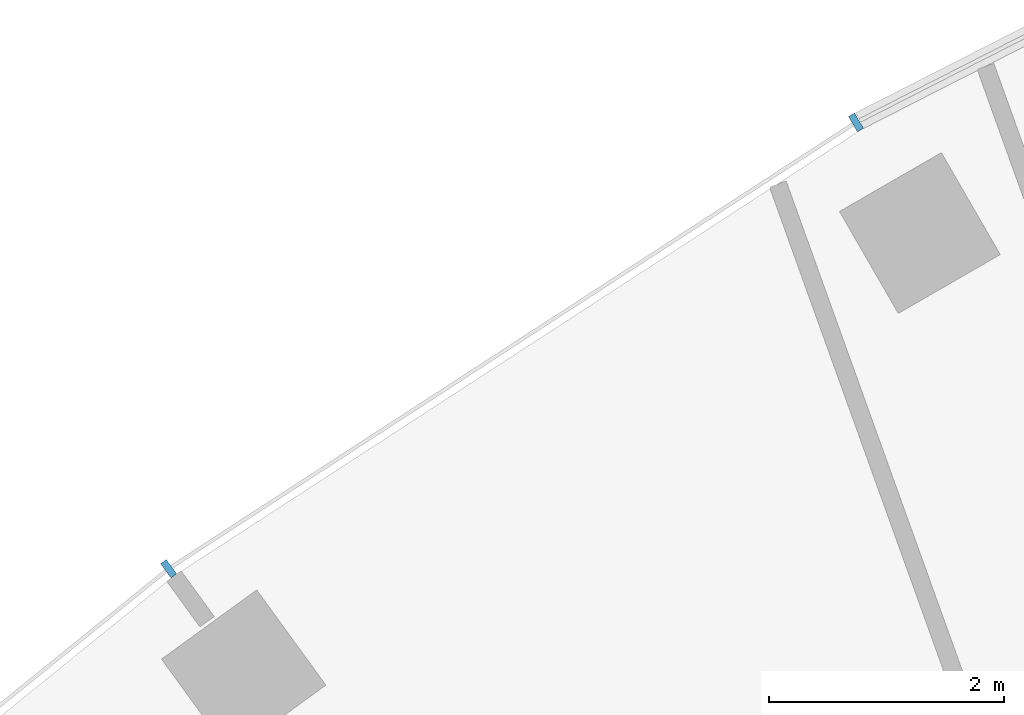
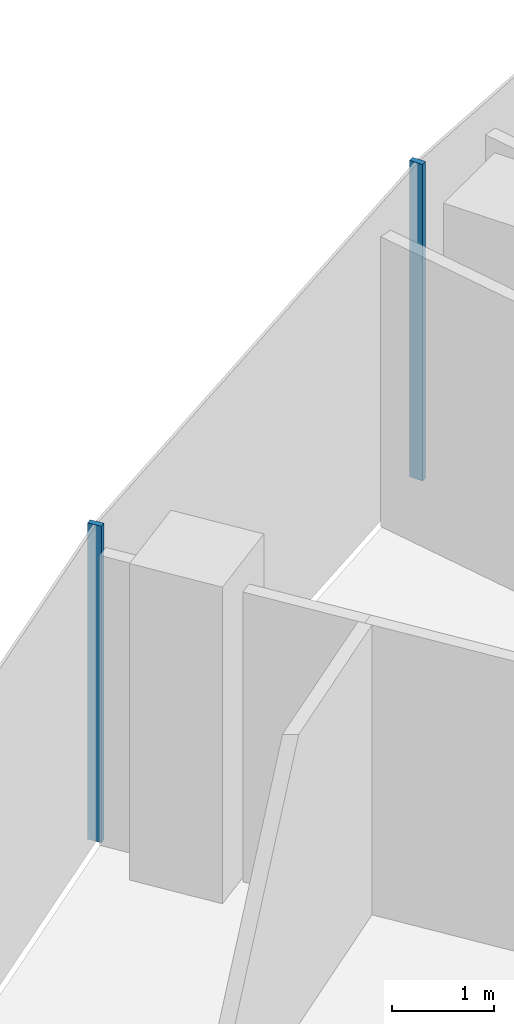
# One storey, part 4 of 20: 2 members, 1 element without a shape of its own.
"""IFC4 building model written with IfcOpenShell, lengths in metres."""

from ifc_helpers import new_model, si_unit, direction, frame, origin, origin_2d, place, context, subcontext, project, spatial, rectangle, extrude, material, layer, layer_set, material_profile, profile_set, type_object, element, aggregate, save


model = new_model("IFC4")

# Units and contexts
model_context = context("Model", 3, precision=1e-05, world=origin(), true_north=direction((0.0, 1.0)))
body_context = subcontext(model_context, "Body", "Model", "MODEL_VIEW")
ifc_project = project(units=[si_unit("LENGTHUNIT", "METRE"), si_unit("AREAUNIT", "SQUARE_METRE"), si_unit("VOLUMEUNIT", "CUBIC_METRE"), si_unit("PLANEANGLEUNIT", "RADIAN"), si_unit("MASSUNIT", "GRAM", prefix="KILO")], contexts=[model_context])

# Site, building, storey
site_placement = place(None, origin())
site = spatial("IfcSite", under=ifc_project, at=site_placement, CompositionType="ELEMENT")
building_placement = place(site_placement, origin())
building = spatial("IfcBuilding", under=site, at=building_placement, Name="Stone Belt Terrace Tower", CompositionType="ELEMENT")
storey_placement = place(building_placement, frame((0.0, 0.0, 147.800048828125)))
storey = spatial("IfcBuildingStorey", under=building, at=storey_placement, Name="L35", CompositionType="ELEMENT", Elevation=147.800048828125)

# Curtain wall, members
ifc_material = material(Name="Aluminium 6063-T6 anodised frame", Category="aluminium")
ifc_layer = layer(ifc_material, 0.14990234375)
ifc_layer_set = layer_set([ifc_layer], Name="CW-A unitised convex-face curtain wall")
curtain_wall_type = type_object("IfcCurtainWallType", Name="CW-A unitised convex-face curtain wall", PredefinedType="NOTDEFINED", material=ifc_layer_set)
curtain_wall_placement = place(storey_placement, origin())
curtain_wall = element("IfcCurtainWall", 1, at=curtain_wall_placement, inside=storey, type_object=curtain_wall_type, Name="CW-A convex face L35", PredefinedType="NOTDEFINED")
ifc_material_profile = material_profile(ifc_material, rectangle(XDim=0.14990234375, YDim=0.06005859375, at=origin_2d()), Name="Aluminium 6063-T6 60x150")
ifc_profile_set = profile_set([ifc_material_profile], Name="Aluminium 6063-T6 anodised frame")
member_type = type_object("IfcMemberType", Name="CW-A mullion 60 x 150", PredefinedType="MULLION", material=ifc_profile_set)
member_1_placement = place(storey_placement, frame((-33.28759765625, 57.65576171875, 0.0), z_axis=(0.0, 0.0, 1.0), x_axis=(0.5, -0.866025403784, 0.0)))
member_1 = element("IfcMember", 2, at=member_1_placement, type_object=member_type, Name="CW-A mullion 14", PredefinedType="MULLION", context=body_context, shape_type="SweptSolid", body=[
    extrude(rectangle(XDim=0.14990234375, YDim=0.06005859375, at=origin_2d()), origin(), (0.0, 0.0, 1.0), 3.800048828125),
])
member_2_placement = place(storey_placement, frame((-39.1318359375, 53.8603515625, 0.0), z_axis=(0.0, 0.0, 1.0), x_axis=(0.587785252292, -0.809016994375, 0.0)))
member_2 = element("IfcMember", 3, at=member_2_placement, type_object=member_type, Name="CW-A mullion 15", PredefinedType="MULLION", context=body_context, shape_type="SweptSolid", body=[
    extrude(rectangle(XDim=0.14990234375, YDim=0.06005859375, at=origin_2d()), origin(), (0.0, 0.0, 1.0), 3.800048828125),
])
aggregate(curtain_wall, [member_1, member_2])

save(model, "model.ifc")
